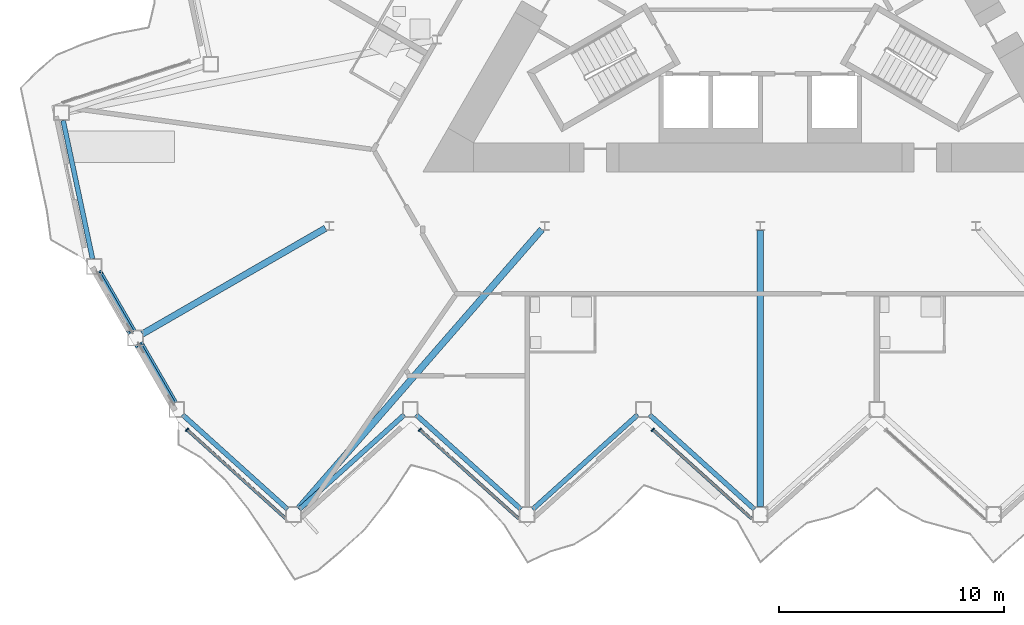
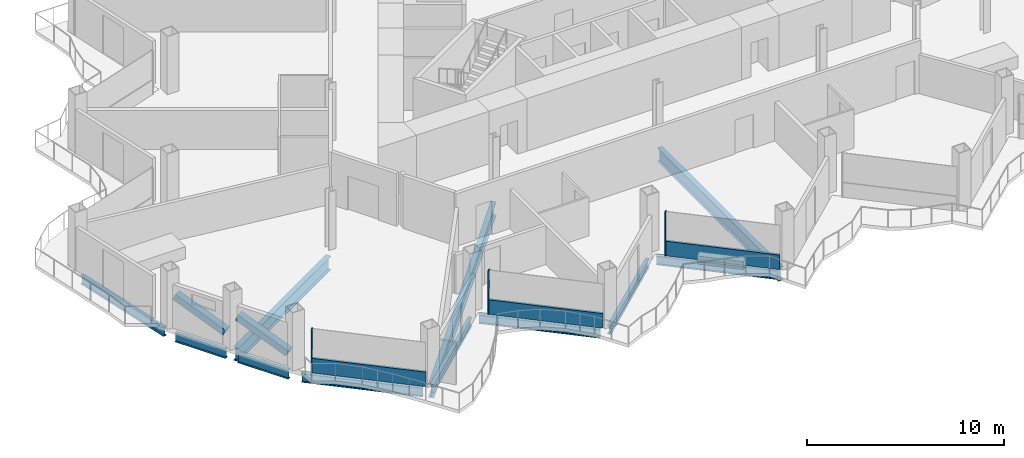
# One storey, part 4 of 23: 11 beams, 8 members, 3 elements without a shape of their own.
"""IFC4 building model written with IfcOpenShell, lengths in metres."""

from ifc_helpers import new_model, si_unit, direction, frame, origin, origin_2d, place, context, subcontext, project, spatial, rectangle, hollow_rectangle, i_section, extrude, material, layer, layer_set, material_profile, profile_set, type_object, element, aggregate, save


model = new_model("IFC4")

# Units and contexts
model_context = context("Model", 3, precision=1e-05, world=origin(), true_north=direction((0.0, 1.0)))
body_context = subcontext(model_context, "Body", "Model", "MODEL_VIEW")
ifc_project = project(units=[si_unit("LENGTHUNIT", "METRE"), si_unit("AREAUNIT", "SQUARE_METRE"), si_unit("VOLUMEUNIT", "CUBIC_METRE"), si_unit("PLANEANGLEUNIT", "RADIAN"), si_unit("MASSUNIT", "GRAM", prefix="KILO")], contexts=[model_context])

# Site, building, storey
site_placement = place(None, origin())
site = spatial("IfcSite", under=ifc_project, at=site_placement, CompositionType="ELEMENT")
building_placement = place(site_placement, origin())
building = spatial("IfcBuilding", under=site, at=building_placement, Name="Cormorant Prow Tower", CompositionType="ELEMENT")
storey_placement = place(building_placement, frame((0.0, 0.0, 241.800048828125)))
storey = spatial("IfcBuildingStorey", under=building, at=storey_placement, Name="L53", CompositionType="ELEMENT", Elevation=241.800048828125)

# Members
ifc_material_1 = material(Name="Structural steel ASTM A500 Gr C", Category="steel")
ifc_material_profile_1 = material_profile(ifc_material_1, hollow_rectangle(XDim=0.406494140625, YDim=0.406494140625, WallThickness=0.01171875, at=origin_2d()), Name="HSS16x16x1/2")
ifc_profile_set_1 = profile_set([ifc_material_profile_1], Name="Structural steel ASTM A500 Gr C")
member_type_1 = type_object("IfcMemberType", Name="Chamfer brace HSS16x16x1/2", PredefinedType="BRACE", material=ifc_profile_set_1)
for number, where, z_axis, x_axis, name in (
    (1, (-27.959228515625, -15.719970703125, 0.74951171875), (-0.462773096913, 0.801606962687, 0.378506721399), (-0.866041729639, -0.499971721724, 0.0), "Chamfer brace BR2 at WSW00 L53"),
    (2, (-26.1240234375, -18.898681640625, 0.74951171875), (-0.462773096913, 0.801606962687, 0.378506721399), (-0.866041729639, -0.499971721724, 0.0), "Chamfer brace BR2 at WSW01 L53"),
):
    element("IfcMember", number, at=place(storey_placement, frame(where, z_axis=z_axis, x_axis=x_axis)), inside=storey, type_object=member_type_1, Name=name, PredefinedType="BRACE", context=body_context, shape_type="SweptSolid", body=[
        extrude(hollow_rectangle(XDim=0.406494140625, YDim=0.406494140625, WallThickness=0.01171875, at=origin_2d()), origin(), (0.0, 0.0, 1.0), 3.17529296875),
    ])

# Curtain wall, member
ifc_material_2 = material(Name="Aluminium 6063-T6", Category="aluminium")
ifc_layer = layer(ifc_material_2, 0.179931640625)
ifc_layer_set = layer_set([ifc_layer], Name="Aluminium 6063-T6")
curtain_wall_type = type_object("IfcCurtainWallType", Name="Hotel unitised curtain wall 180", PredefinedType="NOTDEFINED", material=ifc_layer_set)
curtain_wall_1_placement = place(storey_placement, origin())
curtain_wall_1 = element("IfcCurtainWall", 3, at=curtain_wall_1_placement, inside=storey, type_object=curtain_wall_type, Name="Hotel curtain wall S00", PredefinedType="NOTDEFINED")
ifc_material_3 = material(Name="Aluminium 6063-T6", Category="aluminium")
ifc_material_profile_2 = material_profile(ifc_material_3, rectangle(XDim=0.179931640625, YDim=0.06005859375, at=origin_2d()), Name="Hotel mullion 60x180")
ifc_profile_set_2 = profile_set([ifc_material_profile_2], Name="Aluminium 6063-T6")
member_type_2 = type_object("IfcMemberType", Name="Hotel mullion 60x180", PredefinedType="MULLION", material=ifc_profile_set_2)
member_1_placement = place(storey_placement, frame((-25.48388671875, -20.113525390625, 0.0), z_axis=(0.0, 0.0, 1.0), x_axis=(0.669130621132, 0.743144812176, 0.0)))
member_1 = element("IfcMember", 4, at=member_1_placement, type_object=member_type_2, Name="Hotel mullion S00", PredefinedType="MULLION", context=body_context, shape_type="SweptSolid", body=[
    extrude(rectangle(XDim=0.179931640625, YDim=0.06005859375, at=origin_2d()), origin(), (0.0, 0.0, 1.0), 2.700927734375),
])

curtain_wall_2_placement = place(storey_placement, origin())
curtain_wall_2 = element("IfcCurtainWall", 5, at=curtain_wall_2_placement, inside=storey, type_object=curtain_wall_type, Name="Hotel curtain wall S02", PredefinedType="NOTDEFINED")
member_2_placement = place(storey_placement, frame((-15.132568359375, -20.113525390625, 0.0), z_axis=(0.0, 0.0, 1.0), x_axis=(0.66913054973, 0.743144876466, 0.0)))
member_2 = element("IfcMember", 6, at=member_2_placement, type_object=member_type_2, Name="Hotel mullion S02", PredefinedType="MULLION", context=body_context, shape_type="SweptSolid", body=[
    extrude(rectangle(XDim=0.179931640625, YDim=0.06005859375, at=origin_2d()), origin(), (0.0, 0.0, 1.0), 2.700927734375),
])

curtain_wall_3_placement = place(storey_placement, origin())
curtain_wall_3 = element("IfcCurtainWall", 7, at=curtain_wall_3_placement, inside=storey, type_object=curtain_wall_type, Name="Hotel curtain wall S04", PredefinedType="NOTDEFINED")
member_3_placement = place(storey_placement, frame((-4.781005859375, -20.113525390625, 0.0), z_axis=(0.0, 0.0, 1.0), x_axis=(0.669130621132, 0.743144812176, 0.0)))
member_3 = element("IfcMember", 8, at=member_3_placement, type_object=member_type_2, Name="Hotel mullion S04", PredefinedType="MULLION", context=body_context, shape_type="SweptSolid", body=[
    extrude(rectangle(XDim=0.179931640625, YDim=0.06005859375, at=origin_2d()), origin(), (0.0, 0.0, 1.0), 2.700927734375),
])

# Member
ifc_material_4 = material(Name="Terracotta", Category="masonry")
ifc_material_profile_3 = material_profile(ifc_material_4, rectangle(XDim=0.139892578125, YDim=0.89990234375, at=origin_2d()), Name="Hotel terracotta spandrel rail 140x900")
ifc_profile_set_3 = profile_set([ifc_material_profile_3], Name="Terracotta")
member_type_3 = type_object("IfcMemberType", Name="Hotel terracotta spandrel rail 140x900", PredefinedType="USERDEFINED", material=ifc_profile_set_3)
member_4_placement = place(storey_placement, frame((-25.461669921875, -20.133544921875, 0.449951171875), z_axis=(0.743135764778, -0.669140669148, 0.0), x_axis=(0.669140669148, 0.743135764778, 0.0)))
member_4 = element("IfcMember", 9, at=member_4_placement, type_object=member_type_3, Name="Hotel spandrel rail S00", ObjectType="TRANSOM", PredefinedType="USERDEFINED", context=body_context, shape_type="SweptSolid", body=[
    extrude(rectangle(XDim=0.139892578125, YDim=0.89990234375, at=origin_2d()), origin(), (0.0, 0.0, 1.0), 5.902587890625),
])

aggregate(curtain_wall_1, [member_1, member_4])

member_5_placement = place(storey_placement, frame((-15.110107421875, -20.133544921875, 0.449951171875), z_axis=(0.743135764778, -0.669140669148, 0.0), x_axis=(0.669140669148, 0.743135764778, 0.0)))
member_5 = element("IfcMember", 10, at=member_5_placement, type_object=member_type_3, Name="Hotel spandrel rail S02", ObjectType="TRANSOM", PredefinedType="USERDEFINED", context=body_context, shape_type="SweptSolid", body=[
    extrude(rectangle(XDim=0.139892578125, YDim=0.89990234375, at=origin_2d()), origin(), (0.0, 0.0, 1.0), 5.902587890625),
])

aggregate(curtain_wall_2, [member_2, member_5])

member_6_placement = place(storey_placement, frame((-4.7587890625, -20.133544921875, 0.449951171875), z_axis=(0.743135764778, -0.669140669148, 0.0), x_axis=(0.669140669148, 0.743135764778, 0.0)))
member_6 = element("IfcMember", 11, at=member_6_placement, type_object=member_type_3, Name="Hotel spandrel rail S04", ObjectType="TRANSOM", PredefinedType="USERDEFINED", context=body_context, shape_type="SweptSolid", body=[
    extrude(rectangle(XDim=0.139892578125, YDim=0.89990234375, at=origin_2d()), origin(), (0.0, 0.0, 1.0), 5.902587890625),
])

aggregate(curtain_wall_3, [member_3, member_6])

# Beams
ifc_material_5 = material(Name="Structural steel ASTM A992 Gr 50", Category="steel")
ifc_material_profile_4 = material_profile(ifc_material_5, i_section(OverallWidth=0.29296875, OverallDepth=0.845703125, WebThickness=0.015380859375, FlangeThickness=0.0244140625, at=origin_2d()), Name="W33x141")
ifc_profile_set_4 = profile_set([ifc_material_profile_4], Name="Structural steel ASTM A992 Gr 50")
beam_type_1 = type_object("IfcBeamType", Name="Radial floor beam W33x141", PredefinedType="BEAM", material=ifc_profile_set_4)
beam_1_placement = place(storey_placement, frame((-19.32958984375, -11.159912109375, -0.77294921875), z_axis=(-0.866021726843, -0.500006368596, 0.0), x_axis=(0.500006368596, -0.866021726843, 0.0)))
element("IfcBeam", 12, at=beam_1_placement, inside=storey, type_object=beam_type_1, Name="Radial floor beam FB2 5 L53", PredefinedType="BEAM", context=body_context, shape_type="SweptSolid", body=[
    extrude(i_section(OverallWidth=0.29296875, OverallDepth=0.845703125, WebThickness=0.015380859375, FlangeThickness=0.0244140625, at=origin_2d()), origin(), (0.0, 0.0, 1.0), 9.40380859375),
])
beam_2_placement = place(storey_placement, frame((-9.70947265625, -11.210693359375, -0.77294921875), z_axis=(-0.656874593387, -0.753999846527, 0.0), x_axis=(0.753999846527, -0.656874593387, 0.0)))
element("IfcBeam", 13, at=beam_2_placement, inside=storey, type_object=beam_type_1, Name="Radial floor beam FB2 6 L53", PredefinedType="BEAM", context=body_context, shape_type="SweptSolid", body=[
    extrude(i_section(OverallWidth=0.29296875, OverallDepth=0.845703125, WebThickness=0.015380859375, FlangeThickness=0.0244140625, at=origin_2d()), origin(), (0.0, 0.0, 1.0), 16.4619140625),
])
beam_3_placement = place(storey_placement, frame((0.0, -11.259765625, -0.77294921875), z_axis=(0.0, -1.0, 0.0), x_axis=(1.0, 0.0, 0.0)))
element("IfcBeam", 14, at=beam_3_placement, inside=storey, type_object=beam_type_1, Name="Radial floor beam FB2 7 L53", PredefinedType="BEAM", context=body_context, shape_type="SweptSolid", body=[
    extrude(i_section(OverallWidth=0.29296875, OverallDepth=0.845703125, WebThickness=0.015380859375, FlangeThickness=0.0244140625, at=origin_2d()), origin(), (0.0, 0.0, 1.0), 12.277099609375),
])
ifc_material_6 = material(Name="Structural steel ASTM A992 Gr 50", Category="steel")
ifc_material_profile_5 = material_profile(ifc_material_6, i_section(OverallWidth=0.2138671875, OverallDepth=0.549072265625, WebThickness=0.0146484375, FlangeThickness=0.023681640625, at=origin_2d()), Name="W21x93")
ifc_profile_set_5 = profile_set([ifc_material_profile_5], Name="Structural steel ASTM A992 Gr 50")
beam_type_2 = type_object("IfcBeamType", Name="Spandrel beam W21x93", PredefinedType="SPANDREL", material=ifc_profile_set_5)
for number, where, z_axis, x_axis, name in (
    (15, (-25.68115234375, -19.44970703125, -0.62451171875), (0.743156918576, -0.669117175368, 0.0), (0.669117175368, 0.743156918576, 0.0), "Spandrel beam SB2 S00-S01 L53"),
    (16, (-20.492919921875, -23.65283203125, -0.62451171875), (0.743156918576, 0.669117175368, 0.0), (-0.669117175368, 0.743156918576, 0.0), "Spandrel beam SB2 S01-S02 L53"),
    (17, (-15.3046875, -19.44970703125, -0.62451171875), (0.743156918576, -0.669117175368, 0.0), (0.669117175368, 0.743156918576, 0.0), "Spandrel beam SB2 S02-S03 L53"),
    (18, (-10.116455078125, -23.65283203125, -0.62451171875), (0.743156918576, 0.669117175368, 0.0), (-0.669117175368, 0.743156918576, 0.0), "Spandrel beam SB2 S03-S04 L53"),
    (19, (-4.92822265625, -19.44970703125, -0.62451171875), (0.743156918576, -0.669117175368, 0.0), (0.669117175368, 0.743156918576, 0.0), "Spandrel beam SB2 S04-S05 L53"),
):
    element("IfcBeam", number, at=place(storey_placement, frame(where, z_axis=z_axis, x_axis=x_axis)), inside=storey, type_object=beam_type_2, Name=name, PredefinedType="SPANDREL", context=body_context, shape_type="SweptSolid", body=[
        extrude(i_section(OverallWidth=0.2138671875, OverallDepth=0.549072265625, WebThickness=0.0146484375, FlangeThickness=0.023681640625, at=origin_2d()), origin(), (0.0, 0.0, 1.0), 6.281494140625),
    ])
beam_4_placement = place(storey_placement, frame((-30.990478515625, -6.37158203125, -0.62451171875), z_axis=(0.207941499013, -0.978141264331, 0.0), x_axis=(0.978141264331, 0.207941499013, 0.0)))
element("IfcBeam", 20, at=beam_4_placement, inside=storey, type_object=beam_type_2, Name="Spandrel beam SB2 WNW09-WSW00 L53", PredefinedType="SPANDREL", context=body_context, shape_type="SweptSolid", body=[
    extrude(i_section(OverallWidth=0.2138671875, OverallDepth=0.549072265625, WebThickness=0.0146484375, FlangeThickness=0.023681640625, at=origin_2d()), origin(), (0.0, 0.0, 1.0), 6.28125),
])
for number, where, z_axis, x_axis, name in (
    (21, (-29.4365234375, -13.1611328125, -0.62451171875), (0.499966725515, -0.866044613965, 0.0), (0.866044613965, 0.499966725515, 0.0), "Spandrel beam SB2 WSW00-WSW01 L53"),
    (22, (-27.601318359375, -16.33984375, -0.62451171875), (0.499966725515, -0.866044613965, 0.0), (0.866044613965, 0.499966725515, 0.0), "Spandrel beam SB2 WSW01-S00 L53"),
):
    element("IfcBeam", number, at=place(storey_placement, frame(where, z_axis=z_axis, x_axis=x_axis)), inside=storey, type_object=beam_type_2, Name=name, PredefinedType="SPANDREL", context=body_context, shape_type="SweptSolid", body=[
        extrude(i_section(OverallWidth=0.2138671875, OverallDepth=0.549072265625, WebThickness=0.0146484375, FlangeThickness=0.023681640625, at=origin_2d()), origin(), (0.0, 0.0, 1.0), 2.970458984375),
    ])

save(model, "model.ifc")
